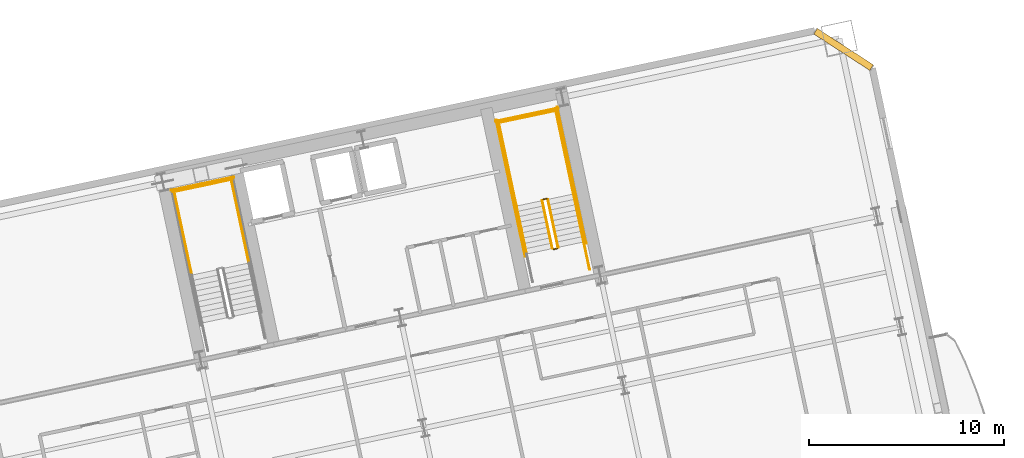
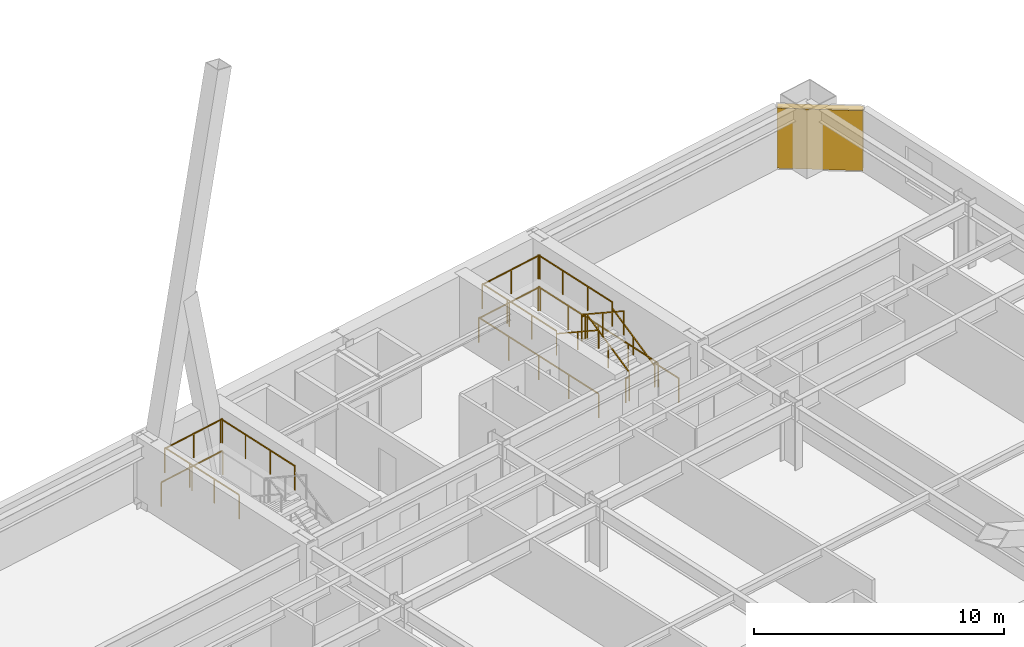
# One storey, part 19 of 20: 17 railings, 1 shading device.
"""IFC4 building model written with IfcOpenShell, lengths in metres."""

from ifc_helpers import new_model, si_unit, direction, frame, origin, origin_2d, place, context, subcontext, project, spatial, rectangle, extrude, material, layer, layer_set, type_object, element, save


model = new_model("IFC4")

# Units and contexts
model_context = context("Model", 3, precision=1e-05, world=origin(), true_north=direction((0.0, 1.0)))
body_context = subcontext(model_context, "Body", "Model", "MODEL_VIEW")
ifc_project = project(units=[si_unit("LENGTHUNIT", "METRE"), si_unit("AREAUNIT", "SQUARE_METRE"), si_unit("VOLUMEUNIT", "CUBIC_METRE"), si_unit("PLANEANGLEUNIT", "RADIAN"), si_unit("MASSUNIT", "GRAM", prefix="KILO")], contexts=[model_context])

# Site, building, storey
site_placement = place(None, origin())
site = spatial("IfcSite", under=ifc_project, at=site_placement, CompositionType="ELEMENT")
building_placement = place(site_placement, origin())
building = spatial("IfcBuilding", under=site, at=building_placement, Name="Haevon Station Towers", CompositionType="ELEMENT")
storey_placement = place(building_placement, frame((0.0, 0.0, 30.60009765625)))
storey = spatial("IfcBuildingStorey", under=building, at=storey_placement, Name="L06", CompositionType="ELEMENT", Elevation=30.60009765625)

# Railings
ifc_material_1 = material(Name="Steel S355", Category="steel")
railing_type_1 = type_object("IfcRailingType", Name="GRD-STR1200", PredefinedType="GUARDRAIL", material=ifc_material_1)
railing_1_placement = place(storey_placement, frame((101.238037109375, 42.4384765625, 1.64990234375)))
element("IfcRailing", 1, at=railing_1_placement, inside=storey, type_object=railing_type_1, Name="L06 ST3 Stair Guard 3", PredefinedType="GUARDRAIL", context=body_context, shape_type="SweptSolid", body=[
    extrude(rectangle(XDim=0.048095703125, YDim=0.048095703125, at=origin_2d()), frame((0.0, 0.0, 1.17578125), z_axis=(-0.20794048909, 0.978141479029, 0.0), x_axis=(-0.978141479029, -0.20794048909, 0.0)), (0.0, 0.0, 1.0), 4.429931640625),
    extrude(rectangle(XDim=0.0419921875, YDim=0.0419921875, at=origin_2d()), origin(), (0.0, 0.0, 1.0), 1.15185546875),
    extrude(rectangle(XDim=0.0419921875, YDim=0.0419921875, at=origin_2d()), frame((-0.30712890625, 1.4443359375, 0.0)), (0.0, 0.0, 1.0), 1.15185546875),
    extrude(rectangle(XDim=0.0419921875, YDim=0.0419921875, at=origin_2d()), frame((-0.614013671875, 2.888671875, 0.0)), (0.0, 0.0, 1.0), 1.15185546875),
    extrude(rectangle(XDim=0.0419921875, YDim=0.0419921875, at=origin_2d()), frame((-0.921142578125, 4.3330078125, 0.0)), (0.0, 0.0, 1.0), 1.15185546875),
])
railing_2_placement = place(storey_placement, frame((98.303466796875, 41.814697265625, 1.64990234375)))
element("IfcRailing", 2, at=railing_2_placement, inside=storey, type_object=railing_type_1, Name="L06 ST3 Stair Guard 4", PredefinedType="GUARDRAIL", context=body_context, shape_type="SweptSolid", body=[
    extrude(rectangle(XDim=0.048095703125, YDim=0.048095703125, at=origin_2d()), frame((0.0, 0.0, 1.17578125), z_axis=(-0.207876551949, 0.978155069071, 0.0), x_axis=(-0.978155069071, -0.207876551949, 0.0)), (0.0, 0.0, 1.0), 4.429931640625),
    extrude(rectangle(XDim=0.0419921875, YDim=0.0419921875, at=origin_2d()), origin(), (0.0, 0.0, 1.0), 1.15185546875),
    extrude(rectangle(XDim=0.0419921875, YDim=0.0419921875, at=origin_2d()), frame((-0.306884765625, 1.4443359375, 0.0)), (0.0, 0.0, 1.0), 1.15185546875),
    extrude(rectangle(XDim=0.0419921875, YDim=0.0419921875, at=origin_2d()), frame((-0.614013671875, 2.888916015625, 0.0)), (0.0, 0.0, 1.0), 1.15185546875),
    extrude(rectangle(XDim=0.0419921875, YDim=0.0419921875, at=origin_2d()), frame((-0.9208984375, 4.333251953125, 0.0)), (0.0, 0.0, 1.0), 1.15185546875),
])
railing_3_placement = place(storey_placement, frame((100.376220703125, 46.733154296875, 1.64990234375)))
element("IfcRailing", 3, at=railing_3_placement, inside=storey, type_object=railing_type_1, Name="L06 ST3 Stair Guard 5", PredefinedType="GUARDRAIL", context=body_context, shape_type="SweptSolid", body=[
    extrude(rectangle(XDim=0.048095703125, YDim=0.048095703125, at=origin_2d()), frame((0.0, 0.0, 1.17578125), z_axis=(-0.978146839882, -0.207915270313, 0.0), x_axis=(0.207915270313, -0.978146839882, 0.0)), (0.0, 0.0, 1.0), 3.099853515625),
    extrude(rectangle(XDim=0.0419921875, YDim=0.0419921875, at=origin_2d()), origin(), (0.0, 0.0, 1.0), 1.15185546875),
    extrude(rectangle(XDim=0.0419921875, YDim=0.0419921875, at=origin_2d()), frame((-1.51611328125, -0.322265625, 0.0)), (0.0, 0.0, 1.0), 1.15185546875),
    extrude(rectangle(XDim=0.0419921875, YDim=0.0419921875, at=origin_2d()), frame((-3.0322265625, -0.64453125, 0.0)), (0.0, 0.0, 1.0), 1.15185546875),
])
railing_4_placement = place(storey_placement, frame((100.453125, 46.8515625, 0.0)))
element("IfcRailing", 4, at=railing_4_placement, inside=storey, type_object=railing_type_1, Name="L06 ST3 Stair Guard 12", PredefinedType="GUARDRAIL", context=body_context, shape_type="SweptSolid", body=[
    extrude(rectangle(XDim=0.048095703125, YDim=0.048095703125, at=origin_2d()), frame((0.0, 0.0, 1.17578125), z_axis=(-0.978150764849, -0.207896804268, 0.0), x_axis=(0.207896804268, -0.978150764849, 0.0)), (0.0, 0.0, 1.0), 3.2998046875),
    extrude(rectangle(XDim=0.0419921875, YDim=0.0419921875, at=origin_2d()), origin(), (0.0, 0.0, 1.0), 1.15185546875),
    extrude(rectangle(XDim=0.0419921875, YDim=0.0419921875, at=origin_2d()), frame((-1.61376953125, -0.343017578125, 0.0)), (0.0, 0.0, 1.0), 1.15185546875),
    extrude(rectangle(XDim=0.0419921875, YDim=0.0419921875, at=origin_2d()), frame((-3.227783203125, -0.68603515625, 0.0)), (0.0, 0.0, 1.0), 1.15185546875),
])
railing_5_placement = place(storey_placement, frame((117.128662109375, 43.23974609375, 0.164794921875)))
element("IfcRailing", 5, at=railing_5_placement, inside=storey, type_object=railing_type_1, Name="L06 ST4 Stair Guard 1", PredefinedType="GUARDRAIL", context=body_context, shape_type="SweptSolid", body=[
    extrude(rectangle(XDim=0.048095703125, YDim=0.048095703125, at=origin_2d()), frame((0.0, 0.0, 1.17578125), z_axis=(-0.179121265225, 0.842687928106, 0.507732831485), x_axis=(-0.978147030254, -0.207914374695, 0.0)), (0.0, 0.0, 1.0), 2.925048828125),
    extrude(rectangle(XDim=0.0419921875, YDim=0.0419921875, at=origin_2d()), origin(), (0.0, 0.0, 1.0), 1.15185546875),
    extrude(rectangle(XDim=0.0419921875, YDim=0.0419921875, at=origin_2d()), frame((-0.261962890625, 1.232421875, 0.74267578125)), (0.0, 0.0, 1.0), 1.15185546875),
    extrude(rectangle(XDim=0.0419921875, YDim=0.0419921875, at=origin_2d()), frame((-0.52392578125, 2.46484375, 1.485107421875)), (0.0, 0.0, 1.0), 1.15185546875),
])
railing_6_placement = place(storey_placement, frame((116.54541015625, 45.7431640625, 1.64990234375)))
element("IfcRailing", 6, at=railing_6_placement, inside=storey, type_object=railing_type_1, Name="L06 ST4 Stair Guard 2", PredefinedType="GUARDRAIL", context=body_context, shape_type="SweptSolid", body=[
    extrude(rectangle(XDim=0.048095703125, YDim=0.048095703125, at=origin_2d()), frame((0.0, 0.0, 1.17578125), z_axis=(-0.97826412705, -0.207362720198, 0.0), x_axis=(0.207362720198, -0.97826412705, 0.0)), (0.0, 0.0, 1.0), 0.2001953125),
    extrude(rectangle(XDim=0.0419921875, YDim=0.0419921875, at=origin_2d()), origin(), (0.0, 0.0, 1.0), 1.15185546875),
    extrude(rectangle(XDim=0.0419921875, YDim=0.0419921875, at=origin_2d()), frame((-0.19580078125, -0.04150390625, 0.0)), (0.0, 0.0, 1.0), 1.15185546875),
])
railing_7_placement = place(storey_placement, frame((117.925048828125, 45.9853515625, 1.64990234375)))
element("IfcRailing", 7, at=railing_7_placement, inside=storey, type_object=railing_type_1, Name="L06 ST4 Stair Guard 3", PredefinedType="GUARDRAIL", context=body_context, shape_type="SweptSolid", body=[
    extrude(rectangle(XDim=0.048095703125, YDim=0.048095703125, at=origin_2d()), frame((0.0, 0.0, 1.17578125), z_axis=(-0.207876551949, 0.978155069071, 0.0), x_axis=(-0.978155069071, -0.207876551949, 0.0)), (0.0, 0.0, 1.0), 4.429931640625),
    extrude(rectangle(XDim=0.0419921875, YDim=0.0419921875, at=origin_2d()), origin(), (0.0, 0.0, 1.0), 1.15185546875),
    extrude(rectangle(XDim=0.0419921875, YDim=0.0419921875, at=origin_2d()), frame((-0.306884765625, 1.4443359375, 0.0)), (0.0, 0.0, 1.0), 1.15185546875),
    extrude(rectangle(XDim=0.0419921875, YDim=0.0419921875, at=origin_2d()), frame((-0.614013671875, 2.888916015625, 0.0)), (0.0, 0.0, 1.0), 1.15185546875),
    extrude(rectangle(XDim=0.0419921875, YDim=0.0419921875, at=origin_2d()), frame((-0.9208984375, 4.333251953125, 0.0)), (0.0, 0.0, 1.0), 1.15185546875),
])
railing_8_placement = place(storey_placement, frame((114.99072265625, 45.361572265625, 1.64990234375)))
element("IfcRailing", 8, at=railing_8_placement, inside=storey, type_object=railing_type_1, Name="L06 ST4 Stair Guard 4", PredefinedType="GUARDRAIL", context=body_context, shape_type="SweptSolid", body=[
    extrude(rectangle(XDim=0.048095703125, YDim=0.048095703125, at=origin_2d()), frame((0.0, 0.0, 1.17578125), z_axis=(-0.207929280007, 0.978143861871, 0.0), x_axis=(-0.978143861871, -0.207929280007, 0.0)), (0.0, 0.0, 1.0), 4.43017578125),
    extrude(rectangle(XDim=0.0419921875, YDim=0.0419921875, at=origin_2d()), origin(), (0.0, 0.0, 1.0), 1.15185546875),
    extrude(rectangle(XDim=0.0419921875, YDim=0.0419921875, at=origin_2d()), frame((-0.30712890625, 1.4443359375, 0.0)), (0.0, 0.0, 1.0), 1.15185546875),
    extrude(rectangle(XDim=0.0419921875, YDim=0.0419921875, at=origin_2d()), frame((-0.614013671875, 2.888916015625, 0.0)), (0.0, 0.0, 1.0), 1.15185546875),
    extrude(rectangle(XDim=0.0419921875, YDim=0.0419921875, at=origin_2d()), frame((-0.921142578125, 4.333251953125, 0.0)), (0.0, 0.0, 1.0), 1.15185546875),
])
railing_9_placement = place(storey_placement, frame((117.0634765625, 50.280029296875, 1.64990234375)))
element("IfcRailing", 9, at=railing_9_placement, inside=storey, type_object=railing_type_1, Name="L06 ST4 Stair Guard 5", PredefinedType="GUARDRAIL", context=body_context, shape_type="SweptSolid", body=[
    extrude(rectangle(XDim=0.048095703125, YDim=0.048095703125, at=origin_2d()), frame((0.0, 0.0, 1.17578125), z_axis=(-0.978146839882, -0.207915270313, 0.0), x_axis=(0.207915270313, -0.978146839882, 0.0)), (0.0, 0.0, 1.0), 3.099853515625),
    extrude(rectangle(XDim=0.0419921875, YDim=0.0419921875, at=origin_2d()), origin(), (0.0, 0.0, 1.0), 1.15185546875),
    extrude(rectangle(XDim=0.0419921875, YDim=0.0419921875, at=origin_2d()), frame((-1.51611328125, -0.322265625, 0.0)), (0.0, 0.0, 1.0), 1.15185546875),
    extrude(rectangle(XDim=0.0419921875, YDim=0.0419921875, at=origin_2d()), frame((-3.0322265625, -0.64453125, 0.0)), (0.0, 0.0, 1.0), 1.15185546875),
])
railing_10_placement = place(storey_placement, frame((116.311279296875, 45.642333984375, 1.81494140625)))
element("IfcRailing", 10, at=railing_10_placement, inside=storey, type_object=railing_type_1, Name="L06 ST4 Stair Guard 6", PredefinedType="GUARDRAIL", context=body_context, shape_type="SweptSolid", body=[
    extrude(rectangle(XDim=0.048095703125, YDim=0.048095703125, at=origin_2d()), frame((0.0, 0.0, 1.17578125), z_axis=(0.179116256339, -0.842747828638, 0.507635168246), x_axis=(0.978151217824, 0.207894673017, 0.0)), (0.0, 0.0, 1.0), 2.925048828125),
    extrude(rectangle(XDim=0.0419921875, YDim=0.0419921875, at=origin_2d()), origin(), (0.0, 0.0, 1.0), 1.15185546875),
    extrude(rectangle(XDim=0.0419921875, YDim=0.0419921875, at=origin_2d()), frame((0.261962890625, -1.232421875, 0.742431640625)), (0.0, 0.0, 1.0), 1.15185546875),
    extrude(rectangle(XDim=0.0419921875, YDim=0.0419921875, at=origin_2d()), frame((0.52392578125, -2.465087890625, 1.48486328125)), (0.0, 0.0, 1.0), 1.15185546875),
])
railing_11_placement = place(storey_placement, frame((117.090087890625, 43.180419921875, 0.0)))
element("IfcRailing", 11, at=railing_11_placement, inside=storey, type_object=railing_type_1, Name="L06 ST4 Stair Guard 7", PredefinedType="GUARDRAIL", context=body_context, shape_type="SweptSolid", body=[
    extrude(rectangle(XDim=0.048095703125, YDim=0.048095703125, at=origin_2d()), frame((0.0, 0.0, 1.17578125), z_axis=(-0.978211583308, -0.207610448392, 0.0), x_axis=(0.207610448392, -0.978211583308, 0.0)), (0.0, 0.0, 1.0), 0.199951171875),
    extrude(rectangle(XDim=0.0419921875, YDim=0.0419921875, at=origin_2d()), origin(), (0.0, 0.0, 1.0), 1.15185546875),
    extrude(rectangle(XDim=0.0419921875, YDim=0.0419921875, at=origin_2d()), frame((-0.195556640625, -0.04150390625, 0.0)), (0.0, 0.0, 1.0), 1.15185546875),
])
railing_12_placement = place(storey_placement, frame((118.75048828125, 42.10205078125, 0.0)))
element("IfcRailing", 12, at=railing_12_placement, inside=storey, type_object=railing_type_1, Name="L06 ST4 Stair Guard 8", PredefinedType="GUARDRAIL", context=body_context, shape_type="SweptSolid", body=[
    extrude(rectangle(XDim=0.048095703125, YDim=0.048095703125, at=origin_2d()), frame((0.0, 0.0, 1.17578125), z_axis=(-0.207919161079, 0.978146012851, 0.0), x_axis=(-0.978146012851, -0.207919161079, 0.0)), (0.0, 0.0, 1.0), 1.4501953125),
    extrude(rectangle(XDim=0.0419921875, YDim=0.0419921875, at=origin_2d()), origin(), (0.0, 0.0, 1.0), 1.15185546875),
    extrude(rectangle(XDim=0.0419921875, YDim=0.0419921875, at=origin_2d()), frame((-0.301513671875, 1.41845703125, 0.0)), (0.0, 0.0, 1.0), 1.15185546875),
])
railing_13_placement = place(storey_placement, frame((118.567626953125, 43.443359375, 0.0)))
element("IfcRailing", 13, at=railing_13_placement, inside=storey, type_object=railing_type_1, Name="L06 ST4 Stair Guard 10", PredefinedType="GUARDRAIL", context=body_context, shape_type="SweptSolid", body=[
    extrude(rectangle(XDim=0.048095703125, YDim=0.048095703125, at=origin_2d()), frame((0.0, 0.0, 1.17578125), z_axis=(-0.207908168386, 0.978148349443, 0.0), x_axis=(-0.978148349443, -0.207908168386, 0.0)), (0.0, 0.0, 1.0), 7.150146484375),
    extrude(rectangle(XDim=0.0419921875, YDim=0.0419921875, at=origin_2d()), origin(), (0.0, 0.0, 1.0), 1.15185546875),
    extrude(rectangle(XDim=0.0419921875, YDim=0.0419921875, at=origin_2d()), frame((-0.37158203125, 1.74853515625, 0.0)), (0.0, 0.0, 1.0), 1.15185546875),
    extrude(rectangle(XDim=0.0419921875, YDim=0.0419921875, at=origin_2d()), frame((-0.7431640625, 3.4970703125, 0.0)), (0.0, 0.0, 1.0), 1.15185546875),
    extrude(rectangle(XDim=0.0419921875, YDim=0.0419921875, at=origin_2d()), frame((-1.114990234375, 5.245361328125, 0.0)), (0.0, 0.0, 1.0), 1.15185546875),
    extrude(rectangle(XDim=0.0419921875, YDim=0.0419921875, at=origin_2d()), frame((-1.486572265625, 6.993896484375, 0.0)), (0.0, 0.0, 1.0), 1.15185546875),
])
railing_14_placement = place(storey_placement, frame((115.4375, 42.778076171875, 0.0)))
element("IfcRailing", 14, at=railing_14_placement, inside=storey, type_object=railing_type_1, Name="L06 ST4 Stair Guard 11", PredefinedType="GUARDRAIL", context=body_context, shape_type="SweptSolid", body=[
    extrude(rectangle(XDim=0.048095703125, YDim=0.048095703125, at=origin_2d()), frame((0.0, 0.0, 1.17578125), z_axis=(-0.207882442208, 0.978153817261, 0.0), x_axis=(-0.978153817261, -0.207882442208, 0.0)), (0.0, 0.0, 1.0), 7.14990234375),
    extrude(rectangle(XDim=0.0419921875, YDim=0.0419921875, at=origin_2d()), origin(), (0.0, 0.0, 1.0), 1.15185546875),
    extrude(rectangle(XDim=0.0419921875, YDim=0.0419921875, at=origin_2d()), frame((-0.37158203125, 1.74853515625, 0.0)), (0.0, 0.0, 1.0), 1.15185546875),
    extrude(rectangle(XDim=0.0419921875, YDim=0.0419921875, at=origin_2d()), frame((-0.7431640625, 3.496826171875, 0.0)), (0.0, 0.0, 1.0), 1.15185546875),
    extrude(rectangle(XDim=0.0419921875, YDim=0.0419921875, at=origin_2d()), frame((-1.11474609375, 5.2451171875, 0.0)), (0.0, 0.0, 1.0), 1.15185546875),
    extrude(rectangle(XDim=0.0419921875, YDim=0.0419921875, at=origin_2d()), frame((-1.486328125, 6.99365234375, 0.0)), (0.0, 0.0, 1.0), 1.15185546875),
])
railing_15_placement = place(storey_placement, frame((117.140380859375, 50.398681640625, 0.0)))
element("IfcRailing", 15, at=railing_15_placement, inside=storey, type_object=railing_type_1, Name="L06 ST4 Stair Guard 12", PredefinedType="GUARDRAIL", context=body_context, shape_type="SweptSolid", body=[
    extrude(rectangle(XDim=0.048095703125, YDim=0.048095703125, at=origin_2d()), frame((0.0, 0.0, 1.17578125), z_axis=(-0.978135717418, -0.207967589567, 0.0), x_axis=(0.207967589567, -0.978135717418, 0.0)), (0.0, 0.0, 1.0), 3.300048828125),
    extrude(rectangle(XDim=0.0419921875, YDim=0.0419921875, at=origin_2d()), origin(), (0.0, 0.0, 1.0), 1.15185546875),
    extrude(rectangle(XDim=0.0419921875, YDim=0.0419921875, at=origin_2d()), frame((-1.61376953125, -0.34326171875, 0.0)), (0.0, 0.0, 1.0), 1.15185546875),
    extrude(rectangle(XDim=0.0419921875, YDim=0.0419921875, at=origin_2d()), frame((-3.227783203125, -0.686279296875, 0.0)), (0.0, 0.0, 1.0), 1.15185546875),
])
railing_type_2 = type_object("IfcRailingType", Name="HND-STR900", PredefinedType="HANDRAIL", material=ifc_material_1)
railing_16_placement = place(storey_placement, frame((118.448974609375, 43.5205078125, 0.164794921875)))
element("IfcRailing", 16, at=railing_16_placement, inside=storey, type_object=railing_type_2, Name="L06 ST4 Stair Handrail 1", PredefinedType="HANDRAIL", context=body_context, shape_type="SweptSolid", body=[
    extrude(rectangle(XDim=0.048095703125, YDim=0.048095703125, at=origin_2d()), frame((0.0, 0.0, 0.8759765625), z_axis=(-0.179121265225, 0.842687928106, 0.507732831485), x_axis=(-0.978147030254, -0.207914374695, 0.0)), (0.0, 0.0, 1.0), 2.925048828125),
    extrude(rectangle(XDim=0.0419921875, YDim=0.0419921875, at=origin_2d()), origin(), (0.0, 0.0, 1.0), 0.851806640625),
    extrude(rectangle(XDim=0.0419921875, YDim=0.0419921875, at=origin_2d()), frame((-0.261962890625, 1.232421875, 0.74267578125)), (0.0, 0.0, 1.0), 0.851806640625),
    extrude(rectangle(XDim=0.0419921875, YDim=0.0419921875, at=origin_2d()), frame((-0.52392578125, 2.46484375, 1.485107421875)), (0.0, 0.0, 1.0), 0.851806640625),
])
railing_17_placement = place(storey_placement, frame((114.99072265625, 45.361572265625, 1.81494140625)))
element("IfcRailing", 17, at=railing_17_placement, inside=storey, type_object=railing_type_2, Name="L06 ST4 Stair Handrail 2", PredefinedType="HANDRAIL", context=body_context, shape_type="SweptSolid", body=[
    extrude(rectangle(XDim=0.048095703125, YDim=0.048095703125, at=origin_2d()), frame((0.0, 0.0, 0.8759765625), z_axis=(0.179128856099, -0.842723639875, 0.507670877349), x_axis=(0.978147030254, 0.207914374695, 0.0)), (0.0, 0.0, 1.0), 2.9248046875),
    extrude(rectangle(XDim=0.0419921875, YDim=0.0419921875, at=origin_2d()), origin(), (0.0, 0.0, 1.0), 0.851806640625),
    extrude(rectangle(XDim=0.0419921875, YDim=0.0419921875, at=origin_2d()), frame((0.261962890625, -1.232421875, 0.742431640625)), (0.0, 0.0, 1.0), 0.851806640625),
    extrude(rectangle(XDim=0.0419921875, YDim=0.0419921875, at=origin_2d()), frame((0.52392578125, -2.46484375, 1.48486328125)), (0.0, 0.0, 1.0), 0.851806640625),
])

# Shading device
ifc_material_2 = material(Name="Anodised aluminium 6063-T6", Category="aluminium")
ifc_layer = layer(ifc_material_2, 0.139892578125)
ifc_layer_set = layer_set([ifc_layer], Name="Anodised aluminium 6063-T6")
shading_device_type = type_object("IfcShadingDeviceType", Name="SHD-WIND-BAFFLE", PredefinedType="SHUTTER", material=ifc_layer_set)
shading_device_placement = place(storey_placement, frame((131.80419921875, 53.413330078125, 0.0498046875), z_axis=(0.0, 0.0, 1.0), x_axis=(0.838670603544, -0.544638980197, 0.0)))
element("IfcShadingDevice", 18, at=shading_device_placement, inside=storey, type_object=shading_device_type, Name="Tower 2 L06 Wind-Corner Aerofoil Baffle NEC", PredefinedType="SHUTTER", context=body_context, shape_type="SweptSolid", body=[
    extrude(rectangle(XDim=3.435546875, YDim=0.340087890625, at=origin_2d()), origin(), (0.0, 0.0, 1.0), 2.929931640625),
])

save(model, "model.ifc")
